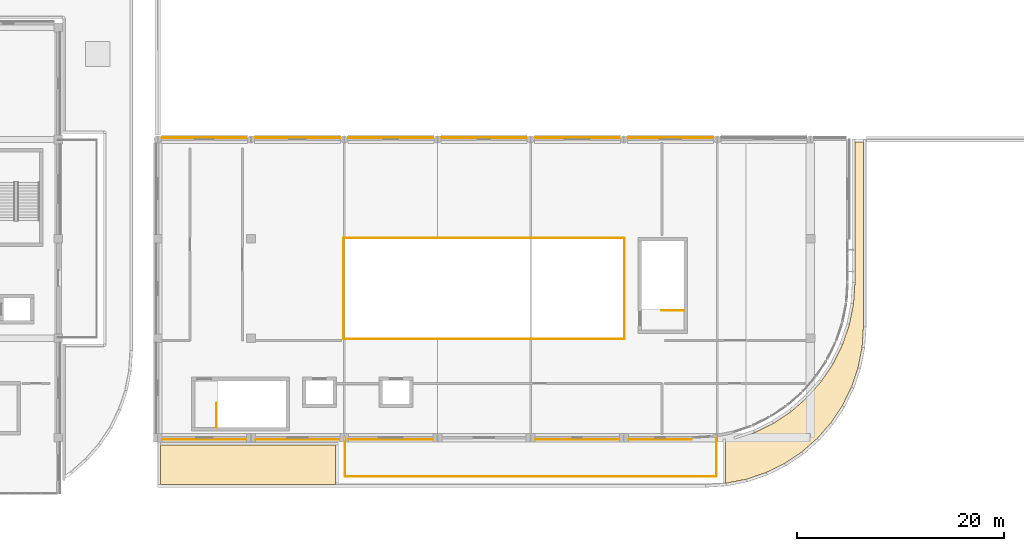
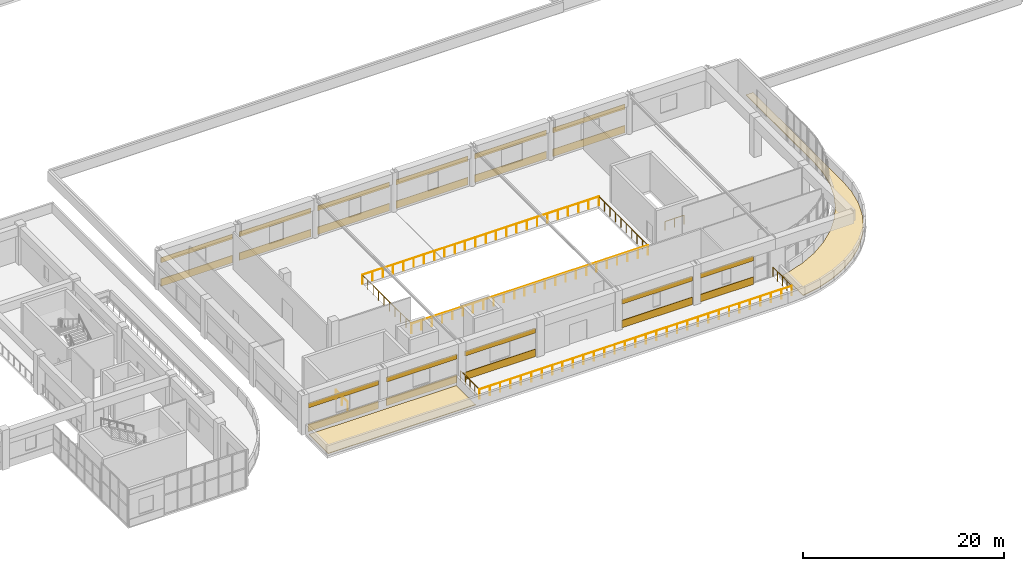
# One storey, part 59 of 67: 24 coverings, 9 railings.
"""IFC4 building model written with IfcOpenShell, lengths in metres."""

from ifc_helpers import new_model, si_unit, direction, frame, origin, origin_2d, place, context, subcontext, project, spatial, polyline, rectangle, circle, outline, extrude, material, layer, layer_set, type_object, element, save


model = new_model("IFC4")

# Units and contexts
model_context = context("Model", 3, precision=1e-05, world=origin(), true_north=direction((0.0, 1.0)))
body_context = subcontext(model_context, "Body", "Model", "MODEL_VIEW")
ifc_project = project(units=[si_unit("LENGTHUNIT", "METRE"), si_unit("AREAUNIT", "SQUARE_METRE"), si_unit("VOLUMEUNIT", "CUBIC_METRE"), si_unit("PLANEANGLEUNIT", "RADIAN"), si_unit("MASSUNIT", "GRAM", prefix="KILO")], contexts=[model_context])

# Site, building, storey
site_placement = place(None, origin())
site = spatial("IfcSite", under=ifc_project, at=site_placement, CompositionType="ELEMENT")
building_placement = place(site_placement, origin())
building = spatial("IfcBuilding", under=site, at=building_placement, Name="Cendralis Terraced Arcade", CompositionType="ELEMENT")
storey_placement = place(building_placement, frame((0.0, 0.0, 15.0)))
storey = spatial("IfcBuildingStorey", under=building, at=storey_placement, Name="L03", CompositionType="ELEMENT", Elevation=15.0)

# Coverings
ifc_material_1 = material(Name="Precast concrete f'c 40 MPa", Category="concrete")
ifc_layer_1 = layer(ifc_material_1, 0.06494140625, Name="COV-CLAD-GRC-65")
ifc_layer_set_1 = layer_set([ifc_layer_1], Name="Precast concrete f'c 40 MPa")
covering_type_1 = type_object("IfcCoveringType", Name="COV-CLAD-GRC-65", PredefinedType="CLADDING", material=ifc_layer_set_1)
covering_1_placement = place(storey_placement, frame((115.71142578125, 9.4375, 0.0), z_axis=(0.0, 0.0, 1.0), x_axis=(-1.0, 0.0, 0.0)))
element("IfcCovering", 1, at=covering_1_placement, inside=storey, type_object=covering_type_1, Name="Banded Precast Stone Spandrel Cladding L03-351", PredefinedType="CLADDING", context=body_context, shape_type="SweptSolid", body=[
    extrude(rectangle(XDim=6.116943359375, YDim=0.06494140625, at=origin_2d()), origin(), (0.0, 0.0, 1.0), 0.89990234375),
])
covering_2_placement = place(storey_placement, frame((115.71142578125, 9.4375, 2.869873046875), z_axis=(0.0, 0.0, 1.0), x_axis=(-1.0, 0.0, 0.0)))
element("IfcCovering", 2, at=covering_2_placement, inside=storey, type_object=covering_type_1, Name="Banded Precast Stone Lintel Cladding L03-352", PredefinedType="CLADDING", context=body_context, shape_type="SweptSolid", body=[
    extrude(rectangle(XDim=6.116943359375, YDim=0.06494140625, at=origin_2d()), origin(), (0.0, 0.0, 1.0), 0.60009765625),
])
covering_3_placement = place(storey_placement, frame((107.699951171875, 9.4375, 0.0), z_axis=(0.0, 0.0, 1.0), x_axis=(-1.0, 0.0, 0.0)))
element("IfcCovering", 3, at=covering_3_placement, inside=storey, type_object=covering_type_1, Name="Banded Precast Stone Spandrel Cladding L03-353", PredefinedType="CLADDING", context=body_context, shape_type="SweptSolid", body=[
    extrude(rectangle(XDim=8.093994140625, YDim=0.06494140625, at=origin_2d()), origin(), (0.0, 0.0, 1.0), 0.89990234375),
])
covering_4_placement = place(storey_placement, frame((107.699951171875, 9.4375, 2.869873046875), z_axis=(0.0, 0.0, 1.0), x_axis=(-1.0, 0.0, 0.0)))
element("IfcCovering", 4, at=covering_4_placement, inside=storey, type_object=covering_type_1, Name="Banded Precast Stone Lintel Cladding L03-354", PredefinedType="CLADDING", context=body_context, shape_type="SweptSolid", body=[
    extrude(rectangle(XDim=8.093994140625, YDim=0.06494140625, at=origin_2d()), origin(), (0.0, 0.0, 1.0), 0.60009765625),
])
covering_5_placement = place(storey_placement, frame((89.699951171875, 9.4375, 0.0), z_axis=(0.0, 0.0, 1.0), x_axis=(-1.0, 0.0, 0.0)))
element("IfcCovering", 5, at=covering_5_placement, inside=storey, type_object=covering_type_1, Name="Banded Precast Stone Spandrel Cladding L03-355", PredefinedType="CLADDING", context=body_context, shape_type="SweptSolid", body=[
    extrude(rectangle(XDim=8.093994140625, YDim=0.06494140625, at=origin_2d()), origin(), (0.0, 0.0, 1.0), 0.89990234375),
])
covering_6_placement = place(storey_placement, frame((89.699951171875, 9.4375, 2.869873046875), z_axis=(0.0, 0.0, 1.0), x_axis=(-1.0, 0.0, 0.0)))
element("IfcCovering", 6, at=covering_6_placement, inside=storey, type_object=covering_type_1, Name="Banded Precast Stone Lintel Cladding L03-356", PredefinedType="CLADDING", context=body_context, shape_type="SweptSolid", body=[
    extrude(rectangle(XDim=8.093994140625, YDim=0.06494140625, at=origin_2d()), origin(), (0.0, 0.0, 1.0), 0.60009765625),
])
covering_7_placement = place(storey_placement, frame((80.699951171875, 9.4375, 0.0), z_axis=(0.0, 0.0, 1.0), x_axis=(-1.0, 0.0, 0.0)))
element("IfcCovering", 7, at=covering_7_placement, inside=storey, type_object=covering_type_1, Name="Banded Precast Stone Spandrel Cladding L03-357", PredefinedType="CLADDING", context=body_context, shape_type="SweptSolid", body=[
    extrude(rectangle(XDim=8.093994140625, YDim=0.06494140625, at=origin_2d()), origin(), (0.0, 0.0, 1.0), 0.89990234375),
])
covering_8_placement = place(storey_placement, frame((80.699951171875, 9.4375, 2.869873046875), z_axis=(0.0, 0.0, 1.0), x_axis=(-1.0, 0.0, 0.0)))
element("IfcCovering", 8, at=covering_8_placement, inside=storey, type_object=covering_type_1, Name="Banded Precast Stone Lintel Cladding L03-358", PredefinedType="CLADDING", context=body_context, shape_type="SweptSolid", body=[
    extrude(rectangle(XDim=8.093994140625, YDim=0.06494140625, at=origin_2d()), origin(), (0.0, 0.0, 1.0), 0.60009765625),
])
covering_9_placement = place(storey_placement, frame((71.699951171875, 9.4375, 0.0), z_axis=(0.0, 0.0, 1.0), x_axis=(-1.0, 0.0, 0.0)))
element("IfcCovering", 9, at=covering_9_placement, inside=storey, type_object=covering_type_1, Name="Banded Precast Stone Spandrel Cladding L03-359", PredefinedType="CLADDING", context=body_context, shape_type="SweptSolid", body=[
    extrude(rectangle(XDim=8.093994140625, YDim=0.06494140625, at=origin_2d()), origin(), (0.0, 0.0, 1.0), 0.89990234375),
])
covering_10_placement = place(storey_placement, frame((71.699951171875, 9.4375, 2.869873046875), z_axis=(0.0, 0.0, 1.0), x_axis=(-1.0, 0.0, 0.0)))
element("IfcCovering", 10, at=covering_10_placement, inside=storey, type_object=covering_type_1, Name="Banded Precast Stone Lintel Cladding L03-360", PredefinedType="CLADDING", context=body_context, shape_type="SweptSolid", body=[
    extrude(rectangle(XDim=8.093994140625, YDim=0.06494140625, at=origin_2d()), origin(), (0.0, 0.0, 1.0), 0.60009765625),
])
covering_11_placement = place(storey_placement, frame((71.699951171875, 38.5625, 0.0), z_axis=(0.0, 0.0, 1.0), x_axis=(1.0, 0.0, 0.0)))
element("IfcCovering", 11, at=covering_11_placement, inside=storey, type_object=covering_type_1, Name="Banded Precast Stone Spandrel Cladding L03-367", PredefinedType="CLADDING", context=body_context, shape_type="SweptSolid", body=[
    extrude(rectangle(XDim=8.243896484375, YDim=0.06494140625, at=origin_2d()), origin(), (0.0, 0.0, 1.0), 0.89990234375),
])
covering_12_placement = place(storey_placement, frame((71.699951171875, 38.5625, 2.869873046875), z_axis=(0.0, 0.0, 1.0), x_axis=(1.0, 0.0, 0.0)))
element("IfcCovering", 12, at=covering_12_placement, inside=storey, type_object=covering_type_1, Name="Banded Precast Stone Lintel Cladding L03-368", PredefinedType="CLADDING", context=body_context, shape_type="SweptSolid", body=[
    extrude(rectangle(XDim=8.243896484375, YDim=0.06494140625, at=origin_2d()), origin(), (0.0, 0.0, 1.0), 0.60009765625),
])
covering_13_placement = place(storey_placement, frame((80.699951171875, 38.5625, 0.0), z_axis=(0.0, 0.0, 1.0), x_axis=(1.0, 0.0, 0.0)))
element("IfcCovering", 13, at=covering_13_placement, inside=storey, type_object=covering_type_1, Name="Banded Precast Stone Spandrel Cladding L03-369", PredefinedType="CLADDING", context=body_context, shape_type="SweptSolid", body=[
    extrude(rectangle(XDim=8.243896484375, YDim=0.06494140625, at=origin_2d()), origin(), (0.0, 0.0, 1.0), 0.89990234375),
])
covering_14_placement = place(storey_placement, frame((80.699951171875, 38.5625, 2.869873046875), z_axis=(0.0, 0.0, 1.0), x_axis=(1.0, 0.0, 0.0)))
element("IfcCovering", 14, at=covering_14_placement, inside=storey, type_object=covering_type_1, Name="Banded Precast Stone Lintel Cladding L03-370", PredefinedType="CLADDING", context=body_context, shape_type="SweptSolid", body=[
    extrude(rectangle(XDim=8.243896484375, YDim=0.06494140625, at=origin_2d()), origin(), (0.0, 0.0, 1.0), 0.60009765625),
])
covering_15_placement = place(storey_placement, frame((89.699951171875, 38.5625, 0.0), z_axis=(0.0, 0.0, 1.0), x_axis=(1.0, 0.0, 0.0)))
element("IfcCovering", 15, at=covering_15_placement, inside=storey, type_object=covering_type_1, Name="Banded Precast Stone Spandrel Cladding L03-371", PredefinedType="CLADDING", context=body_context, shape_type="SweptSolid", body=[
    extrude(rectangle(XDim=8.243896484375, YDim=0.06494140625, at=origin_2d()), origin(), (0.0, 0.0, 1.0), 0.89990234375),
])
covering_16_placement = place(storey_placement, frame((89.699951171875, 38.5625, 2.869873046875), z_axis=(0.0, 0.0, 1.0), x_axis=(1.0, 0.0, 0.0)))
element("IfcCovering", 16, at=covering_16_placement, inside=storey, type_object=covering_type_1, Name="Banded Precast Stone Lintel Cladding L03-372", PredefinedType="CLADDING", context=body_context, shape_type="SweptSolid", body=[
    extrude(rectangle(XDim=8.243896484375, YDim=0.06494140625, at=origin_2d()), origin(), (0.0, 0.0, 1.0), 0.60009765625),
])
covering_17_placement = place(storey_placement, frame((98.699951171875, 38.5625, 0.0), z_axis=(0.0, 0.0, 1.0), x_axis=(1.0, 0.0, 0.0)))
element("IfcCovering", 17, at=covering_17_placement, inside=storey, type_object=covering_type_1, Name="Banded Precast Stone Spandrel Cladding L03-373", PredefinedType="CLADDING", context=body_context, shape_type="SweptSolid", body=[
    extrude(rectangle(XDim=8.243896484375, YDim=0.06494140625, at=origin_2d()), origin(), (0.0, 0.0, 1.0), 0.89990234375),
])
covering_18_placement = place(storey_placement, frame((98.699951171875, 38.5625, 2.869873046875), z_axis=(0.0, 0.0, 1.0), x_axis=(1.0, 0.0, 0.0)))
element("IfcCovering", 18, at=covering_18_placement, inside=storey, type_object=covering_type_1, Name="Banded Precast Stone Lintel Cladding L03-374", PredefinedType="CLADDING", context=body_context, shape_type="SweptSolid", body=[
    extrude(rectangle(XDim=8.243896484375, YDim=0.06494140625, at=origin_2d()), origin(), (0.0, 0.0, 1.0), 0.60009765625),
])
covering_19_placement = place(storey_placement, frame((107.699951171875, 38.5625, 0.0), z_axis=(0.0, 0.0, 1.0), x_axis=(1.0, 0.0, 0.0)))
element("IfcCovering", 19, at=covering_19_placement, inside=storey, type_object=covering_type_1, Name="Banded Precast Stone Spandrel Cladding L03-375", PredefinedType="CLADDING", context=body_context, shape_type="SweptSolid", body=[
    extrude(rectangle(XDim=8.243896484375, YDim=0.06494140625, at=origin_2d()), origin(), (0.0, 0.0, 1.0), 0.89990234375),
])
covering_20_placement = place(storey_placement, frame((107.699951171875, 38.5625, 2.869873046875), z_axis=(0.0, 0.0, 1.0), x_axis=(1.0, 0.0, 0.0)))
element("IfcCovering", 20, at=covering_20_placement, inside=storey, type_object=covering_type_1, Name="Banded Precast Stone Lintel Cladding L03-376", PredefinedType="CLADDING", context=body_context, shape_type="SweptSolid", body=[
    extrude(rectangle(XDim=8.243896484375, YDim=0.06494140625, at=origin_2d()), origin(), (0.0, 0.0, 1.0), 0.60009765625),
])
covering_21_placement = place(storey_placement, frame((116.699951171875, 38.5625, 0.0), z_axis=(0.0, 0.0, 1.0), x_axis=(1.0, 0.0, 0.0)))
element("IfcCovering", 21, at=covering_21_placement, inside=storey, type_object=covering_type_1, Name="Banded Precast Stone Spandrel Cladding L03-377", PredefinedType="CLADDING", context=body_context, shape_type="SweptSolid", body=[
    extrude(rectangle(XDim=8.243896484375, YDim=0.06494140625, at=origin_2d()), origin(), (0.0, 0.0, 1.0), 0.89990234375),
])
covering_22_placement = place(storey_placement, frame((116.699951171875, 38.5625, 2.869873046875), z_axis=(0.0, 0.0, 1.0), x_axis=(1.0, 0.0, 0.0)))
element("IfcCovering", 22, at=covering_22_placement, inside=storey, type_object=covering_type_1, Name="Banded Precast Stone Lintel Cladding L03-378", PredefinedType="CLADDING", context=body_context, shape_type="SweptSolid", body=[
    extrude(rectangle(XDim=8.243896484375, YDim=0.06494140625, at=origin_2d()), origin(), (0.0, 0.0, 1.0), 0.60009765625),
])
ifc_material_2 = material(Name="TPO insulated waterproofing membrane")
ifc_layer_2 = layer(ifc_material_2, 0.080078125, Name="COV-ROOF-MEM-80")
ifc_layer_set_2 = layer_set([ifc_layer_2], Name="TPO insulated waterproofing membrane")
covering_type_2 = type_object("IfcCoveringType", Name="COV-ROOF-MEM-80", PredefinedType="ROOFING", material=ifc_layer_set_2)
covering_23_placement = place(storey_placement, origin())
element("IfcCovering", 23, at=covering_23_placement, inside=storey, type_object=covering_type_2, Name="Insulated Waterproofing Roof Membrane L03-04", PredefinedType="ROOFING", context=body_context, shape_type="SweptSolid", body=[
    extrude(outline(polyline([(135.320068359375, 38.139892578125), (135.320068359375, 20.30908203125), (135.189208984375, 18.3134765625), (134.80078125, 16.36083984375), (134.160888671875, 14.475830078125), (133.280517578125, 12.690185546875), (132.17431640625, 11.034912109375), (130.86181640625, 9.5380859375), (129.364990234375, 8.2255859375), (127.709716796875, 7.11962890625), (125.92431640625, 6.239013671875), (124.0390625, 5.59912109375), (122.086669921875, 5.210693359375), (122.0263671875, 5.206787109375), (122.02880859375, 5.22265625), (122.030029296875, 5.25), (122.030029296875, 9.267578125), (122.845947265625, 9.429931640625), (122.881103515625, 9.439453125), (124.79150390625, 10.087890625), (124.8251953125, 10.101806640625), (126.63427734375, 10.993896484375), (126.666015625, 11.01220703125), (128.34326171875, 12.133056640625), (128.372314453125, 12.1552734375), (129.888916015625, 13.4853515625), (129.914794921875, 13.51123046875), (131.24462890625, 15.02783203125), (131.26708984375, 15.056884765625), (132.3876953125, 16.73388671875), (132.406005859375, 16.765625), (133.298095703125, 18.57470703125), (133.312255859375, 18.608642578125), (133.960693359375, 20.518798828125), (133.97021484375, 20.55419921875), (134.363525390625, 22.532470703125), (134.368408203125, 22.56884765625), (134.49951171875, 24.56787109375), (134.5, 24.586181640625), (134.5, 38.139892578125), (135.320068359375, 38.139892578125)])), origin(), (0.0, 0.0, 1.0), 0.080078125),
])
covering_24_placement = place(storey_placement, origin())
element("IfcCovering", 24, at=covering_24_placement, inside=storey, type_object=covering_type_2, Name="Insulated Waterproofing Roof Membrane L03-04", PredefinedType="ROOFING", context=body_context, shape_type="SweptSolid", body=[
    extrude(outline(polyline([(84.427978515625, 5.080078125), (67.47998046875, 5.080078125), (67.47998046875, 8.89990234375), (84.3701171875, 8.89990234375), (84.3701171875, 5.25), (84.371337890625, 5.22265625), (84.37548828125, 5.1953125), (84.382080078125, 5.168701171875), (84.391357421875, 5.142822265625), (84.403076171875, 5.117919921875), (84.417236328125, 5.094482421875), (84.427978515625, 5.080078125)])), origin(), (0.0, 0.0, 1.0), 0.080078125),
])

# Railings
ifc_material_3 = material(Name="Brushed stainless steel AISI 316", Category="steel")
railing_type_1 = type_object("IfcRailingType", Name="RL-STAIR-GUARD-1100", PredefinedType="GUARDRAIL", material=ifc_material_3)
railing_1_placement = place(storey_placement, frame((72.89990234375, 10.60009765625, 0.0)))
element("IfcRailing", 25, at=railing_1_placement, inside=storey, type_object=railing_type_1, Name="L03 ST-08 top well guard 1", PredefinedType="GUARDRAIL", context=body_context, shape_type="SweptSolid", body=[
    extrude(circle(Radius=0.02392578125, at=origin_2d()), frame((0.0, 0.0, 1.076171875), z_axis=(0.0, 1.0, 0.0), x_axis=(-1.0, 0.0, 0.0)), (0.0, 0.0, 1.0), 2.349853515625),
    extrude(circle(Radius=0.02099609375, at=origin_2d()), origin(), (0.0, 0.0, 1.0), 1.052001953125),
    extrude(circle(Radius=0.02099609375, at=origin_2d()), frame((0.0, 1.1748046875, 0.0)), (0.0, 0.0, 1.0), 1.052001953125),
    extrude(circle(Radius=0.02099609375, at=origin_2d()), frame((0.0, 2.349853515625, 0.0)), (0.0, 0.0, 1.0), 1.052001953125),
])
railing_2_placement = place(storey_placement, frame((118.0, 21.89990234375, 0.0)))
element("IfcRailing", 26, at=railing_2_placement, inside=storey, type_object=railing_type_1, Name="L03 ST-09 top well guard 1", PredefinedType="GUARDRAIL", context=body_context, shape_type="SweptSolid", body=[
    extrude(circle(Radius=0.02392578125, at=origin_2d()), frame((0.0, 0.0, 1.076171875), z_axis=(-1.0, 0.0, 0.0), x_axis=(0.0, -1.0, 0.0)), (0.0, 0.0, 1.0), 2.14990234375),
    extrude(circle(Radius=0.02099609375, at=origin_2d()), origin(), (0.0, 0.0, 1.0), 1.052001953125),
    extrude(circle(Radius=0.02099609375, at=origin_2d()), frame((-1.074951171875, 0.0, 0.0)), (0.0, 0.0, 1.0), 1.052001953125),
    extrude(circle(Radius=0.02099609375, at=origin_2d()), frame((-2.14990234375, 0.0, 0.0)), (0.0, 0.0, 1.0), 1.052001953125),
])
railing_type_2 = type_object("IfcRailingType", Name="RL-TER-GUARD-1150", PredefinedType="GUARDRAIL", material=ifc_material_3)
railing_3_placement = place(storey_placement, frame((85.280029296875, 9.60009765625, 0.0)))
element("IfcRailing", 27, at=railing_3_placement, inside=storey, type_object=railing_type_2, Name="Planted Terrace Perimeter Guardrail GR-TER-L03-012", PredefinedType="GUARDRAIL", context=body_context, shape_type="SweptSolid", body=[
    extrude(circle(Radius=0.02392578125, at=origin_2d()), frame((0.0, 0.0, 1.1259765625), z_axis=(0.0, -1.0, 0.0), x_axis=(1.0, 0.0, 0.0)), (0.0, 0.0, 1.0), 3.72021484375),
    extrude(circle(Radius=0.02099609375, at=origin_2d()), origin(), (0.0, 0.0, 1.0), 1.101806640625),
    extrude(circle(Radius=0.02099609375, at=origin_2d()), frame((0.0, -0.93017578125, 0.0)), (0.0, 0.0, 1.0), 1.101806640625),
    extrude(circle(Radius=0.02099609375, at=origin_2d()), frame((0.0, -1.860107421875, 0.0)), (0.0, 0.0, 1.0), 1.101806640625),
    extrude(circle(Radius=0.02099609375, at=origin_2d()), frame((0.0, -2.7900390625, 0.0)), (0.0, 0.0, 1.0), 1.101806640625),
    extrude(circle(Radius=0.02099609375, at=origin_2d()), frame((0.0, -3.72021484375, 0.0)), (0.0, 0.0, 1.0), 1.101806640625),
])
railing_4_placement = place(storey_placement, frame((85.280029296875, 5.8798828125, 0.0)))
element("IfcRailing", 28, at=railing_4_placement, inside=storey, type_object=railing_type_2, Name="Planted Terrace Perimeter Guardrail GR-TER-L03-013", PredefinedType="GUARDRAIL", context=body_context, shape_type="SweptSolid", body=[
    extrude(circle(Radius=0.02392578125, at=origin_2d()), frame((0.0, 0.0, 1.1259765625), z_axis=(1.0, 0.0, 0.0), x_axis=(0.0, 1.0, 0.0)), (0.0, 0.0, 1.0), 35.840087890625),
    extrude(circle(Radius=0.02099609375, at=origin_2d()), origin(), (0.0, 0.0, 1.0), 1.101806640625),
    extrude(circle(Radius=0.02099609375, at=origin_2d()), frame((1.194580078125, 0.0, 0.0)), (0.0, 0.0, 1.0), 1.101806640625),
    extrude(circle(Radius=0.02099609375, at=origin_2d()), frame((2.389404296875, 0.0, 0.0)), (0.0, 0.0, 1.0), 1.101806640625),
    extrude(circle(Radius=0.02099609375, at=origin_2d()), frame((3.583984375, 0.0, 0.0)), (0.0, 0.0, 1.0), 1.101806640625),
    extrude(circle(Radius=0.02099609375, at=origin_2d()), frame((4.778564453125, 0.0, 0.0)), (0.0, 0.0, 1.0), 1.101806640625),
    extrude(circle(Radius=0.02099609375, at=origin_2d()), frame((5.973388671875, 0.0, 0.0)), (0.0, 0.0, 1.0), 1.101806640625),
    extrude(circle(Radius=0.02099609375, at=origin_2d()), frame((7.16796875, 0.0, 0.0)), (0.0, 0.0, 1.0), 1.101806640625),
    extrude(circle(Radius=0.02099609375, at=origin_2d()), frame((8.36279296875, 0.0, 0.0)), (0.0, 0.0, 1.0), 1.101806640625),
    extrude(circle(Radius=0.02099609375, at=origin_2d()), frame((9.557373046875, 0.0, 0.0)), (0.0, 0.0, 1.0), 1.101806640625),
    extrude(circle(Radius=0.02099609375, at=origin_2d()), frame((10.751953125, 0.0, 0.0)), (0.0, 0.0, 1.0), 1.101806640625),
    extrude(circle(Radius=0.02099609375, at=origin_2d()), frame((11.94677734375, 0.0, 0.0)), (0.0, 0.0, 1.0), 1.101806640625),
    extrude(circle(Radius=0.02099609375, at=origin_2d()), frame((13.141357421875, 0.0, 0.0)), (0.0, 0.0, 1.0), 1.101806640625),
    extrude(circle(Radius=0.02099609375, at=origin_2d()), frame((14.3359375, 0.0, 0.0)), (0.0, 0.0, 1.0), 1.101806640625),
    extrude(circle(Radius=0.02099609375, at=origin_2d()), frame((15.53076171875, 0.0, 0.0)), (0.0, 0.0, 1.0), 1.101806640625),
    extrude(circle(Radius=0.02099609375, at=origin_2d()), frame((16.725341796875, 0.0, 0.0)), (0.0, 0.0, 1.0), 1.101806640625),
    extrude(circle(Radius=0.02099609375, at=origin_2d()), frame((17.919921875, 0.0, 0.0)), (0.0, 0.0, 1.0), 1.101806640625),
    extrude(circle(Radius=0.02099609375, at=origin_2d()), frame((19.11474609375, 0.0, 0.0)), (0.0, 0.0, 1.0), 1.101806640625),
    extrude(circle(Radius=0.02099609375, at=origin_2d()), frame((20.309326171875, 0.0, 0.0)), (0.0, 0.0, 1.0), 1.101806640625),
    extrude(circle(Radius=0.02099609375, at=origin_2d()), frame((21.504150390625, 0.0, 0.0)), (0.0, 0.0, 1.0), 1.101806640625),
    extrude(circle(Radius=0.02099609375, at=origin_2d()), frame((22.69873046875, 0.0, 0.0)), (0.0, 0.0, 1.0), 1.101806640625),
    extrude(circle(Radius=0.02099609375, at=origin_2d()), frame((23.893310546875, 0.0, 0.0)), (0.0, 0.0, 1.0), 1.101806640625),
    extrude(circle(Radius=0.02099609375, at=origin_2d()), frame((25.088134765625, 0.0, 0.0)), (0.0, 0.0, 1.0), 1.101806640625),
    extrude(circle(Radius=0.02099609375, at=origin_2d()), frame((26.28271484375, 0.0, 0.0)), (0.0, 0.0, 1.0), 1.101806640625),
    extrude(circle(Radius=0.02099609375, at=origin_2d()), frame((27.477294921875, 0.0, 0.0)), (0.0, 0.0, 1.0), 1.101806640625),
    extrude(circle(Radius=0.02099609375, at=origin_2d()), frame((28.672119140625, 0.0, 0.0)), (0.0, 0.0, 1.0), 1.101806640625),
    extrude(circle(Radius=0.02099609375, at=origin_2d()), frame((29.86669921875, 0.0, 0.0)), (0.0, 0.0, 1.0), 1.101806640625),
    extrude(circle(Radius=0.02099609375, at=origin_2d()), frame((31.0615234375, 0.0, 0.0)), (0.0, 0.0, 1.0), 1.101806640625),
    extrude(circle(Radius=0.02099609375, at=origin_2d()), frame((32.256103515625, 0.0, 0.0)), (0.0, 0.0, 1.0), 1.101806640625),
    extrude(circle(Radius=0.02099609375, at=origin_2d()), frame((33.45068359375, 0.0, 0.0)), (0.0, 0.0, 1.0), 1.101806640625),
    extrude(circle(Radius=0.02099609375, at=origin_2d()), frame((34.6455078125, 0.0, 0.0)), (0.0, 0.0, 1.0), 1.101806640625),
    extrude(circle(Radius=0.02099609375, at=origin_2d()), frame((35.840087890625, 0.0, 0.0)), (0.0, 0.0, 1.0), 1.101806640625),
])
railing_5_placement = place(storey_placement, frame((121.1201171875, 5.8798828125, 0.0)))
element("IfcRailing", 29, at=railing_5_placement, inside=storey, type_object=railing_type_2, Name="Planted Terrace Perimeter Guardrail GR-TER-L03-014", PredefinedType="GUARDRAIL", context=body_context, shape_type="SweptSolid", body=[
    extrude(circle(Radius=0.02392578125, at=origin_2d()), frame((0.0, 0.0, 1.1259765625), z_axis=(0.0, 1.0, 0.0), x_axis=(-1.0, 0.0, 0.0)), (0.0, 0.0, 1.0), 3.72021484375),
    extrude(circle(Radius=0.02099609375, at=origin_2d()), origin(), (0.0, 0.0, 1.0), 1.101806640625),
    extrude(circle(Radius=0.02099609375, at=origin_2d()), frame((0.0, 0.93017578125, 0.0)), (0.0, 0.0, 1.0), 1.101806640625),
    extrude(circle(Radius=0.02099609375, at=origin_2d()), frame((0.0, 1.860107421875, 0.0)), (0.0, 0.0, 1.0), 1.101806640625),
    extrude(circle(Radius=0.02099609375, at=origin_2d()), frame((0.0, 2.7900390625, 0.0)), (0.0, 0.0, 1.0), 1.101806640625),
    extrude(circle(Radius=0.02099609375, at=origin_2d()), frame((0.0, 3.72021484375, 0.0)), (0.0, 0.0, 1.0), 1.101806640625),
])
railing_type_3 = type_object("IfcRailingType", Name="RL-VOID-BAL-1150", PredefinedType="BALUSTRADE", material=ifc_material_3)
railing_6_placement = place(storey_placement, frame((85.1201171875, 19.1201171875, 0.0)))
element("IfcRailing", 30, at=railing_6_placement, inside=storey, type_object=railing_type_3, Name="Atrium and Arcade Gallery Balustrade L03-062", PredefinedType="BALUSTRADE", context=body_context, shape_type="SweptSolid", body=[
    extrude(circle(Radius=0.02392578125, at=origin_2d()), frame((0.0, 0.0, 1.1259765625), z_axis=(1.0, 0.0, 0.0), x_axis=(0.0, 1.0, 0.0)), (0.0, 0.0, 1.0), 27.159912109375),
    extrude(circle(Radius=0.02099609375, at=origin_2d()), origin(), (0.0, 0.0, 1.0), 1.101806640625),
    extrude(circle(Radius=0.02099609375, at=origin_2d()), frame((1.180908203125, 0.0, 0.0)), (0.0, 0.0, 1.0), 1.101806640625),
    extrude(circle(Radius=0.02099609375, at=origin_2d()), frame((2.36181640625, 0.0, 0.0)), (0.0, 0.0, 1.0), 1.101806640625),
    extrude(circle(Radius=0.02099609375, at=origin_2d()), frame((3.54248046875, 0.0, 0.0)), (0.0, 0.0, 1.0), 1.101806640625),
    extrude(circle(Radius=0.02099609375, at=origin_2d()), frame((4.723388671875, 0.0, 0.0)), (0.0, 0.0, 1.0), 1.101806640625),
    extrude(circle(Radius=0.02099609375, at=origin_2d()), frame((5.904296875, 0.0, 0.0)), (0.0, 0.0, 1.0), 1.101806640625),
    extrude(circle(Radius=0.02099609375, at=origin_2d()), frame((7.085205078125, 0.0, 0.0)), (0.0, 0.0, 1.0), 1.101806640625),
    extrude(circle(Radius=0.02099609375, at=origin_2d()), frame((8.26611328125, 0.0, 0.0)), (0.0, 0.0, 1.0), 1.101806640625),
    extrude(circle(Radius=0.02099609375, at=origin_2d()), frame((9.447021484375, 0.0, 0.0)), (0.0, 0.0, 1.0), 1.101806640625),
    extrude(circle(Radius=0.02099609375, at=origin_2d()), frame((10.627685546875, 0.0, 0.0)), (0.0, 0.0, 1.0), 1.101806640625),
    extrude(circle(Radius=0.02099609375, at=origin_2d()), frame((11.80859375, 0.0, 0.0)), (0.0, 0.0, 1.0), 1.101806640625),
    extrude(circle(Radius=0.02099609375, at=origin_2d()), frame((12.989501953125, 0.0, 0.0)), (0.0, 0.0, 1.0), 1.101806640625),
    extrude(circle(Radius=0.02099609375, at=origin_2d()), frame((14.17041015625, 0.0, 0.0)), (0.0, 0.0, 1.0), 1.101806640625),
    extrude(circle(Radius=0.02099609375, at=origin_2d()), frame((15.351318359375, 0.0, 0.0)), (0.0, 0.0, 1.0), 1.101806640625),
    extrude(circle(Radius=0.02099609375, at=origin_2d()), frame((16.5322265625, 0.0, 0.0)), (0.0, 0.0, 1.0), 1.101806640625),
    extrude(circle(Radius=0.02099609375, at=origin_2d()), frame((17.712890625, 0.0, 0.0)), (0.0, 0.0, 1.0), 1.101806640625),
    extrude(circle(Radius=0.02099609375, at=origin_2d()), frame((18.893798828125, 0.0, 0.0)), (0.0, 0.0, 1.0), 1.101806640625),
    extrude(circle(Radius=0.02099609375, at=origin_2d()), frame((20.07470703125, 0.0, 0.0)), (0.0, 0.0, 1.0), 1.101806640625),
    extrude(circle(Radius=0.02099609375, at=origin_2d()), frame((21.255615234375, 0.0, 0.0)), (0.0, 0.0, 1.0), 1.101806640625),
    extrude(circle(Radius=0.02099609375, at=origin_2d()), frame((22.4365234375, 0.0, 0.0)), (0.0, 0.0, 1.0), 1.101806640625),
    extrude(circle(Radius=0.02099609375, at=origin_2d()), frame((23.617431640625, 0.0, 0.0)), (0.0, 0.0, 1.0), 1.101806640625),
    extrude(circle(Radius=0.02099609375, at=origin_2d()), frame((24.798095703125, 0.0, 0.0)), (0.0, 0.0, 1.0), 1.101806640625),
    extrude(circle(Radius=0.02099609375, at=origin_2d()), frame((25.97900390625, 0.0, 0.0)), (0.0, 0.0, 1.0), 1.101806640625),
    extrude(circle(Radius=0.02099609375, at=origin_2d()), frame((27.159912109375, 0.0, 0.0)), (0.0, 0.0, 1.0), 1.101806640625),
])
railing_7_placement = place(storey_placement, frame((112.280029296875, 19.1201171875, 0.0)))
element("IfcRailing", 31, at=railing_7_placement, inside=storey, type_object=railing_type_3, Name="Atrium and Arcade Gallery Balustrade L03-063", PredefinedType="BALUSTRADE", context=body_context, shape_type="SweptSolid", body=[
    extrude(circle(Radius=0.02392578125, at=origin_2d()), frame((0.0, 0.0, 1.1259765625), z_axis=(0.0, 1.0, 0.0), x_axis=(-1.0, 0.0, 0.0)), (0.0, 0.0, 1.0), 9.759765625),
    extrude(circle(Radius=0.02099609375, at=origin_2d()), origin(), (0.0, 0.0, 1.0), 1.101806640625),
    extrude(circle(Radius=0.02099609375, at=origin_2d()), frame((0.0, 1.08447265625, 0.0)), (0.0, 0.0, 1.0), 1.101806640625),
    extrude(circle(Radius=0.02099609375, at=origin_2d()), frame((0.0, 2.1689453125, 0.0)), (0.0, 0.0, 1.0), 1.101806640625),
    extrude(circle(Radius=0.02099609375, at=origin_2d()), frame((0.0, 3.253173828125, 0.0)), (0.0, 0.0, 1.0), 1.101806640625),
    extrude(circle(Radius=0.02099609375, at=origin_2d()), frame((0.0, 4.337646484375, 0.0)), (0.0, 0.0, 1.0), 1.101806640625),
    extrude(circle(Radius=0.02099609375, at=origin_2d()), frame((0.0, 5.422119140625, 0.0)), (0.0, 0.0, 1.0), 1.101806640625),
    extrude(circle(Radius=0.02099609375, at=origin_2d()), frame((0.0, 6.506591796875, 0.0)), (0.0, 0.0, 1.0), 1.101806640625),
    extrude(circle(Radius=0.02099609375, at=origin_2d()), frame((0.0, 7.5908203125, 0.0)), (0.0, 0.0, 1.0), 1.101806640625),
    extrude(circle(Radius=0.02099609375, at=origin_2d()), frame((0.0, 8.67529296875, 0.0)), (0.0, 0.0, 1.0), 1.101806640625),
    extrude(circle(Radius=0.02099609375, at=origin_2d()), frame((0.0, 9.759765625, 0.0)), (0.0, 0.0, 1.0), 1.101806640625),
])
railing_8_placement = place(storey_placement, frame((112.280029296875, 28.8798828125, 0.0)))
element("IfcRailing", 32, at=railing_8_placement, inside=storey, type_object=railing_type_3, Name="Atrium and Arcade Gallery Balustrade L03-064", PredefinedType="BALUSTRADE", context=body_context, shape_type="SweptSolid", body=[
    extrude(circle(Radius=0.02392578125, at=origin_2d()), frame((0.0, 0.0, 1.1259765625), z_axis=(-1.0, 0.0, 0.0), x_axis=(0.0, -1.0, 0.0)), (0.0, 0.0, 1.0), 27.159912109375),
    extrude(circle(Radius=0.02099609375, at=origin_2d()), origin(), (0.0, 0.0, 1.0), 1.101806640625),
    extrude(circle(Radius=0.02099609375, at=origin_2d()), frame((-1.180908203125, 0.0, 0.0)), (0.0, 0.0, 1.0), 1.101806640625),
    extrude(circle(Radius=0.02099609375, at=origin_2d()), frame((-2.36181640625, 0.0, 0.0)), (0.0, 0.0, 1.0), 1.101806640625),
    extrude(circle(Radius=0.02099609375, at=origin_2d()), frame((-3.54248046875, 0.0, 0.0)), (0.0, 0.0, 1.0), 1.101806640625),
    extrude(circle(Radius=0.02099609375, at=origin_2d()), frame((-4.723388671875, 0.0, 0.0)), (0.0, 0.0, 1.0), 1.101806640625),
    extrude(circle(Radius=0.02099609375, at=origin_2d()), frame((-5.904296875, 0.0, 0.0)), (0.0, 0.0, 1.0), 1.101806640625),
    extrude(circle(Radius=0.02099609375, at=origin_2d()), frame((-7.085205078125, 0.0, 0.0)), (0.0, 0.0, 1.0), 1.101806640625),
    extrude(circle(Radius=0.02099609375, at=origin_2d()), frame((-8.26611328125, 0.0, 0.0)), (0.0, 0.0, 1.0), 1.101806640625),
    extrude(circle(Radius=0.02099609375, at=origin_2d()), frame((-9.447021484375, 0.0, 0.0)), (0.0, 0.0, 1.0), 1.101806640625),
    extrude(circle(Radius=0.02099609375, at=origin_2d()), frame((-10.627685546875, 0.0, 0.0)), (0.0, 0.0, 1.0), 1.101806640625),
    extrude(circle(Radius=0.02099609375, at=origin_2d()), frame((-11.80859375, 0.0, 0.0)), (0.0, 0.0, 1.0), 1.101806640625),
    extrude(circle(Radius=0.02099609375, at=origin_2d()), frame((-12.989501953125, 0.0, 0.0)), (0.0, 0.0, 1.0), 1.101806640625),
    extrude(circle(Radius=0.02099609375, at=origin_2d()), frame((-14.17041015625, 0.0, 0.0)), (0.0, 0.0, 1.0), 1.101806640625),
    extrude(circle(Radius=0.02099609375, at=origin_2d()), frame((-15.351318359375, 0.0, 0.0)), (0.0, 0.0, 1.0), 1.101806640625),
    extrude(circle(Radius=0.02099609375, at=origin_2d()), frame((-16.5322265625, 0.0, 0.0)), (0.0, 0.0, 1.0), 1.101806640625),
    extrude(circle(Radius=0.02099609375, at=origin_2d()), frame((-17.712890625, 0.0, 0.0)), (0.0, 0.0, 1.0), 1.101806640625),
    extrude(circle(Radius=0.02099609375, at=origin_2d()), frame((-18.893798828125, 0.0, 0.0)), (0.0, 0.0, 1.0), 1.101806640625),
    extrude(circle(Radius=0.02099609375, at=origin_2d()), frame((-20.07470703125, 0.0, 0.0)), (0.0, 0.0, 1.0), 1.101806640625),
    extrude(circle(Radius=0.02099609375, at=origin_2d()), frame((-21.255615234375, 0.0, 0.0)), (0.0, 0.0, 1.0), 1.101806640625),
    extrude(circle(Radius=0.02099609375, at=origin_2d()), frame((-22.4365234375, 0.0, 0.0)), (0.0, 0.0, 1.0), 1.101806640625),
    extrude(circle(Radius=0.02099609375, at=origin_2d()), frame((-23.617431640625, 0.0, 0.0)), (0.0, 0.0, 1.0), 1.101806640625),
    extrude(circle(Radius=0.02099609375, at=origin_2d()), frame((-24.798095703125, 0.0, 0.0)), (0.0, 0.0, 1.0), 1.101806640625),
    extrude(circle(Radius=0.02099609375, at=origin_2d()), frame((-25.97900390625, 0.0, 0.0)), (0.0, 0.0, 1.0), 1.101806640625),
    extrude(circle(Radius=0.02099609375, at=origin_2d()), frame((-27.159912109375, 0.0, 0.0)), (0.0, 0.0, 1.0), 1.101806640625),
])
railing_9_placement = place(storey_placement, frame((85.1201171875, 28.8798828125, 0.0)))
element("IfcRailing", 33, at=railing_9_placement, inside=storey, type_object=railing_type_3, Name="Atrium and Arcade Gallery Balustrade L03-065", PredefinedType="BALUSTRADE", context=body_context, shape_type="SweptSolid", body=[
    extrude(circle(Radius=0.02392578125, at=origin_2d()), frame((0.0, 0.0, 1.1259765625), z_axis=(0.0, -1.0, 0.0), x_axis=(1.0, 0.0, 0.0)), (0.0, 0.0, 1.0), 9.759765625),
    extrude(circle(Radius=0.02099609375, at=origin_2d()), origin(), (0.0, 0.0, 1.0), 1.101806640625),
    extrude(circle(Radius=0.02099609375, at=origin_2d()), frame((0.0, -1.08447265625, 0.0)), (0.0, 0.0, 1.0), 1.101806640625),
    extrude(circle(Radius=0.02099609375, at=origin_2d()), frame((0.0, -2.1689453125, 0.0)), (0.0, 0.0, 1.0), 1.101806640625),
    extrude(circle(Radius=0.02099609375, at=origin_2d()), frame((0.0, -3.253173828125, 0.0)), (0.0, 0.0, 1.0), 1.101806640625),
    extrude(circle(Radius=0.02099609375, at=origin_2d()), frame((0.0, -4.337646484375, 0.0)), (0.0, 0.0, 1.0), 1.101806640625),
    extrude(circle(Radius=0.02099609375, at=origin_2d()), frame((0.0, -5.422119140625, 0.0)), (0.0, 0.0, 1.0), 1.101806640625),
    extrude(circle(Radius=0.02099609375, at=origin_2d()), frame((0.0, -6.506591796875, 0.0)), (0.0, 0.0, 1.0), 1.101806640625),
    extrude(circle(Radius=0.02099609375, at=origin_2d()), frame((0.0, -7.5908203125, 0.0)), (0.0, 0.0, 1.0), 1.101806640625),
    extrude(circle(Radius=0.02099609375, at=origin_2d()), frame((0.0, -8.67529296875, 0.0)), (0.0, 0.0, 1.0), 1.101806640625),
    extrude(circle(Radius=0.02099609375, at=origin_2d()), frame((0.0, -9.759765625, 0.0)), (0.0, 0.0, 1.0), 1.101806640625),
])

save(model, "model.ifc")
